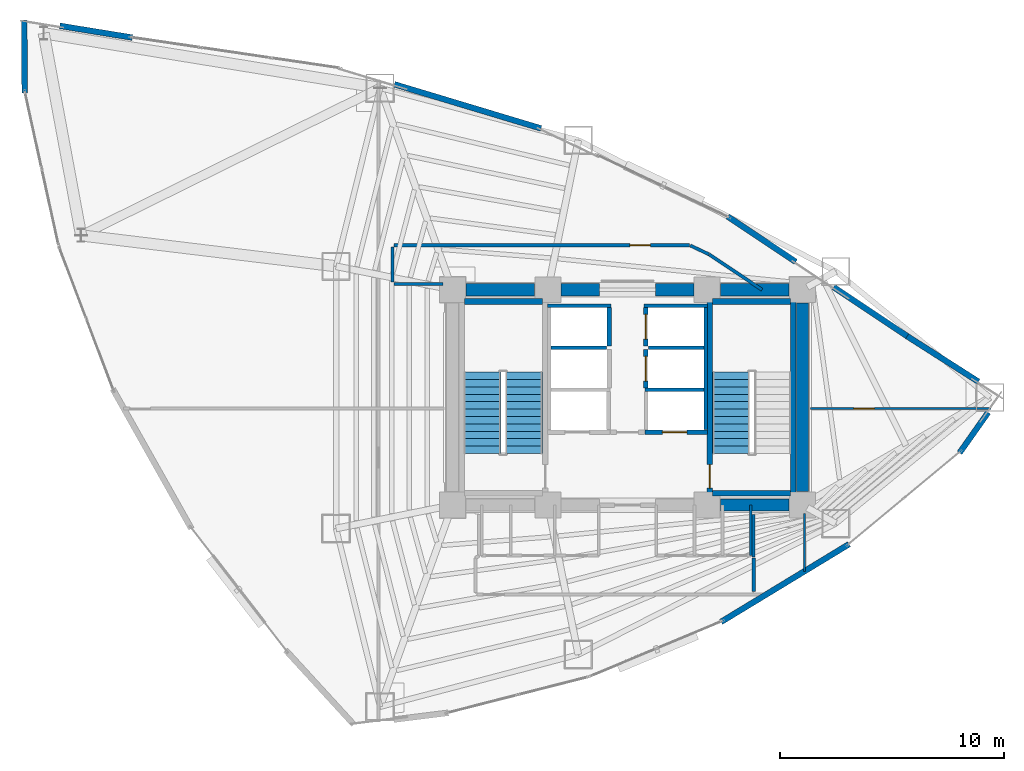
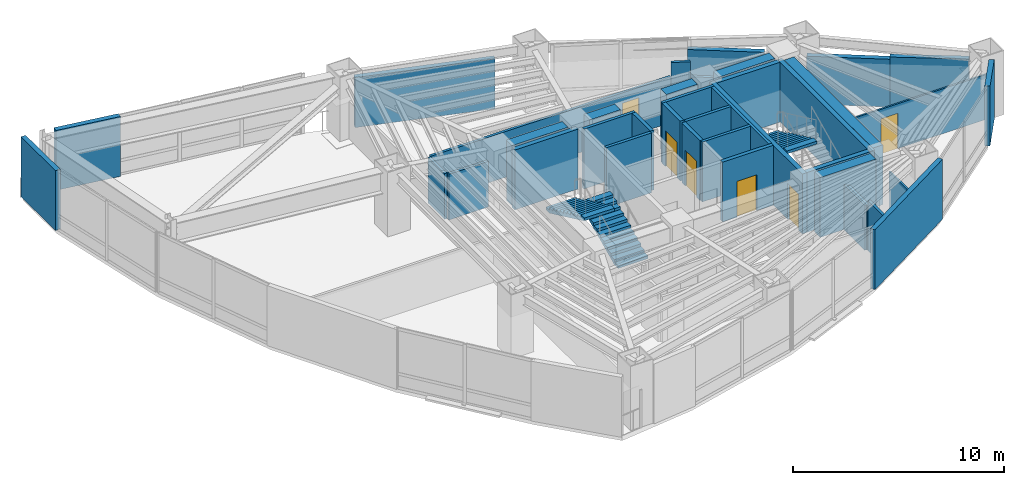
# One storey, part 20 of 23: 39 walls, 6 doors, 3 stair flights, 6 openings, 2 elements without a shape of their own.
"""IFC4 building model written with IfcOpenShell, lengths in metres."""

from ifc_helpers import new_model, si_unit, direction, frame, frame_2d, origin, place, context, subcontext, project, spatial, polyline, rectangle, outline, extrude, material, layer, layer_set, type_object, element, fill, aggregate, save


model = new_model("IFC4")

# Units and contexts
model_context = context("Model", 3, precision=1e-05, world=origin(), true_north=direction((0.0, 1.0)))
body_context = subcontext(model_context, "Body", "Model", "MODEL_VIEW")
ifc_project = project(units=[si_unit("LENGTHUNIT", "METRE"), si_unit("AREAUNIT", "SQUARE_METRE"), si_unit("VOLUMEUNIT", "CUBIC_METRE"), si_unit("PLANEANGLEUNIT", "RADIAN"), si_unit("MASSUNIT", "GRAM", prefix="KILO")], contexts=[model_context])

# Site, building, storey
site_placement = place(None, origin())
site = spatial("IfcSite", under=ifc_project, at=site_placement, CompositionType="ELEMENT")
building_placement = place(site_placement, origin())
building = spatial("IfcBuilding", under=site, at=building_placement, Name="Menara Vayukalpa", CompositionType="ELEMENT")
storey_placement = place(building_placement, frame((0.0, 0.0, 103.97998046875)))
storey = spatial("IfcBuildingStorey", under=building, at=storey_placement, Name="L25", CompositionType="ELEMENT", Elevation=103.97998046875)

# Walls
ifc_material_1 = material(Name="Concrete C60/75", Category="concrete")
ifc_layer_1 = layer(ifc_material_1, 0.550048828125)
ifc_layer_set_1 = layer_set([ifc_layer_1], Name="Concrete C60/75")
wall_type_1 = type_object("IfcWallType", Name="WAL-CW550", PredefinedType="SHEAR", material=ifc_layer_set_1)
wall_1_placement = place(storey_placement, frame((29.7451171875, 17.199951171875, 0.0), z_axis=(0.0, 0.0, 1.0), x_axis=(1.0, 0.0, 0.0)))
element("IfcWall", 1, at=wall_1_placement, inside=storey, type_object=wall_type_1, Name="L25 Buttressed Core Shear Wall CWS4", PredefinedType="SHEAR", context=body_context, shape_type="SweptSolid", body=[
    extrude(rectangle(XDim=3.059814453125, YDim=0.550048828125, at=frame_2d((1.52978515625, 0.0))), origin(), (0.0, 0.0, 1.0), 3.469970703125),
])
wall_2_placement = place(storey_placement, frame((18.39501953125, 26.800048828125, 0.0), z_axis=(0.0, 0.0, 1.0), x_axis=(1.0, 0.0, 0.0)))
element("IfcWall", 2, at=wall_2_placement, inside=storey, type_object=wall_type_1, Name="L25 Buttressed Core Shear Wall CWN1", PredefinedType="SHEAR", context=body_context, shape_type="SweptSolid", body=[
    extrude(rectangle(XDim=3.06005859375, YDim=0.550048828125, at=frame_2d((1.530029296875, 0.0))), origin(), (0.0, 0.0, 1.0), 3.469970703125),
])
wall_3_placement = place(storey_placement, frame((22.64501953125, 26.800048828125, 0.0), z_axis=(0.0, 0.0, 1.0), x_axis=(1.0, 0.0, 0.0)))
element("IfcWall", 3, at=wall_3_placement, inside=storey, type_object=wall_type_1, Name="L25 Buttressed Core Shear Wall CWN2", PredefinedType="SHEAR", context=body_context, shape_type="SweptSolid", body=[
    extrude(rectangle(XDim=1.705078125, YDim=0.550048828125, at=frame_2d((0.8525390625, 0.0))), origin(), (0.0, 0.0, 1.0), 3.469970703125),
])
wall_4_placement = place(storey_placement, frame((26.85009765625, 26.800048828125, 0.0), z_axis=(0.0, 0.0, 1.0), x_axis=(1.0, 0.0, 0.0)))
element("IfcWall", 4, at=wall_4_placement, inside=storey, type_object=wall_type_1, Name="L25 Buttressed Core Shear Wall CWN3", PredefinedType="SHEAR", context=body_context, shape_type="SweptSolid", body=[
    extrude(rectangle(XDim=1.704833984375, YDim=0.550048828125, at=frame_2d((0.8525390625, 0.0))), origin(), (0.0, 0.0, 1.0), 3.469970703125),
])
wall_5_placement = place(storey_placement, frame((29.7451171875, 26.800048828125, 0.0), z_axis=(0.0, 0.0, 1.0), x_axis=(1.0, 0.0, 0.0)))
element("IfcWall", 5, at=wall_5_placement, inside=storey, type_object=wall_type_1, Name="L25 Buttressed Core Shear Wall CWN4", PredefinedType="SHEAR", context=body_context, shape_type="SweptSolid", body=[
    extrude(rectangle(XDim=3.059814453125, YDim=0.550048828125, at=frame_2d((1.52978515625, 0.0))), origin(), (0.0, 0.0, 1.0), 3.469970703125),
])
wall_6_placement = place(storey_placement, frame((33.39990234375, 17.794921875, 0.0), z_axis=(0.0, 0.0, 1.0), x_axis=(0.0, 1.0, 0.0)))
element("IfcWall", 6, at=wall_6_placement, inside=storey, type_object=wall_type_1, Name="L25 Buttressed Core Shear Wall CWE1", PredefinedType="SHEAR", context=body_context, shape_type="SweptSolid", body=[
    extrude(rectangle(XDim=8.41015625, YDim=0.550048828125, at=frame_2d((4.205078125, 0.0))), origin(), (0.0, 0.0, 1.0), 3.469970703125),
])
ifc_material_2 = material(Name="Insulated Precast Concrete C40/50", Category="concrete")
ifc_layer_2 = layer(ifc_material_2, 0.260009765625)
ifc_layer_set_2 = layer_set([ifc_layer_2], Name="Insulated Precast Concrete C40/50")
wall_type_2 = type_object("IfcWallType", Name="WAL-EXT260", PredefinedType="PARTITIONING", material=ifc_layer_set_2)
wall_7_placement = place(storey_placement, frame((41.682373046875, 21.331298828125, 0.0), z_axis=(0.0, 0.0, 1.0), x_axis=(-0.577134204686, -0.816649318729, 0.0)))
element("IfcWall", 7, at=wall_7_placement, inside=storey, type_object=wall_type_2, Name="L25 Perimeter Terracotta Pier Wall 01", PredefinedType="PARTITIONING", context=body_context, shape_type="SweptSolid", body=[
    extrude(rectangle(XDim=2.2099609375, YDim=0.260009765625, at=frame_2d((1.10498046875, 0.0))), origin(), (0.0, 0.0, 1.0), 3.469970703125),
])
wall_8_placement = place(storey_placement, frame((38.07177734375, 24.726806640625, 0.0), z_axis=(0.0, 0.0, 1.0), x_axis=(0.843033549628, -0.537860980367, 0.0)))
element("IfcWall", 8, at=wall_8_placement, inside=storey, type_object=wall_type_2, Name="L25 Perimeter Terracotta Pier Wall 02", PredefinedType="PARTITIONING", context=body_context, shape_type="SweptSolid", body=[
    extrude(rectangle(XDim=3.765625, YDim=0.260009765625, at=frame_2d((1.8828125, 0.0))), origin(), (0.0, 0.0, 1.0), 2.89990234375),
])
wall_9_placement = place(storey_placement, frame((34.783203125, 26.92236328125, 0.0), z_axis=(0.0, 0.0, 1.0), x_axis=(0.831718676225, -0.555197301523, 0.0)))
element("IfcWall", 9, at=wall_9_placement, inside=storey, type_object=wall_type_2, Name="L25 Perimeter Terracotta Pier Wall 03", PredefinedType="PARTITIONING", context=body_context, shape_type="SweptSolid", body=[
    extrude(rectangle(XDim=3.966064453125, YDim=0.260009765625, at=frame_2d((1.98291015625, 0.0))), origin(), (0.0, 0.0, 1.0), 2.77001953125),
])
wall_10_placement = place(storey_placement, frame((30.069580078125, 30.06884765625, 0.0), z_axis=(0.0, 0.0, 1.0), x_axis=(0.831720838908, -0.555194061681, 0.0)))
element("IfcWall", 10, at=wall_10_placement, inside=storey, type_object=wall_type_2, Name="L25 Perimeter Terracotta Pier Wall 04", PredefinedType="PARTITIONING", context=body_context, shape_type="SweptSolid", body=[
    extrude(rectangle(XDim=3.64990234375, YDim=0.260009765625, at=frame_2d((1.824951171875, 0.0))), origin(), (0.0, 0.0, 1.0), 2.89990234375),
])
wall_11_placement = place(storey_placement, frame((15.205078125, 35.960693359375, 0.0), z_axis=(0.0, 0.0, 1.0), x_axis=(0.957547425539, -0.288275784351, 0.0)))
element("IfcWall", 11, at=wall_11_placement, inside=storey, type_object=wall_type_2, Name="L25 Perimeter Terracotta Pier Wall 06", PredefinedType="PARTITIONING", context=body_context, shape_type="SweptSolid", body=[
    extrude(rectangle(XDim=6.830322265625, YDim=0.260009765625, at=frame_2d((3.4150390625, 0.0))), origin(), (0.0, 0.0, 1.0), 2.89990234375),
])
wall_12_placement = place(storey_placement, frame((0.28759765625, 38.567626953125, 0.0), z_axis=(0.0, 0.0, 1.0), x_axis=(0.987086724939, -0.160186758031, 0.0)))
element("IfcWall", 12, at=wall_12_placement, inside=storey, type_object=wall_type_2, Name="L25 Perimeter Terracotta Pier Wall 08", PredefinedType="PARTITIONING", context=body_context, shape_type="SweptSolid", body=[
    extrude(rectangle(XDim=3.281494140625, YDim=0.260009765625, at=frame_2d((1.640625, 0.0))), origin(), (0.0, 0.0, 1.0), 3.469970703125),
])
wall_13_placement = place(storey_placement, frame((-1.2744140625, 35.567626953125, 0.0), z_axis=(0.0, 0.0, 1.0), x_axis=(-0.007419416555, 0.99997247575, 0.0)))
element("IfcWall", 13, at=wall_13_placement, inside=storey, type_object=wall_type_2, Name="L25 Perimeter Terracotta Pier Wall 09", PredefinedType="PARTITIONING", context=body_context, shape_type="SweptSolid", body=[
    extrude(rectangle(XDim=3.257568359375, YDim=0.260009765625, at=frame_2d((1.62890625, 0.0))), origin(), (0.0, 0.0, 1.0), 3.469970703125),
])
wall_14_placement = place(storey_placement, frame((35.47998046875, 15.455078125, 0.0), z_axis=(0.0, 0.0, 1.0), x_axis=(-0.854673977685, -0.51916509115, 0.0)))
element("IfcWall", 14, at=wall_14_placement, inside=storey, type_object=wall_type_2, Name="L25 Perimeter Terracotta Pier Wall 18", PredefinedType="PARTITIONING", context=body_context, shape_type="SweptSolid", body=[
    extrude(rectangle(XDim=6.678466796875, YDim=0.260009765625, at=frame_2d((3.33935546875, 0.0))), origin(), (0.0, 0.0, 1.0), 3.469970703125),
])
ifc_material_3 = material(Name="Lightweight Concrete Blockwork C16/20", Category="masonry")
ifc_layer_3 = layer(ifc_material_3, 0.159912109375)
ifc_layer_set_3 = layer_set([ifc_layer_3], Name="Lightweight Concrete Blockwork C16/20")
wall_type_3 = type_object("IfcWallType", Name="WAL-FR150", PredefinedType="PARTITIONING", material=ifc_layer_set_3)
wall_15_placement = place(storey_placement, frame((22.179931640625, 24.215087890625, 0.0), z_axis=(0.0, 0.0, 1.0), x_axis=(1.0, 0.0, 0.0)))
element("IfcWall", 15, at=wall_15_placement, inside=storey, type_object=wall_type_3, Name="L25 Interior Partition IW-L25-SHM-W23", PredefinedType="PARTITIONING", context=body_context, shape_type="SweptSolid", body=[
    extrude(rectangle(XDim=2.489990234375, YDim=0.159912109375, at=frame_2d((1.2451171875, 0.0))), origin(), (0.0, 0.0, 1.0), 3.469970703125),
])
wall_16_placement = place(storey_placement, frame((22.030029296875, 26.0849609375, 0.0), z_axis=(0.0, 0.0, 1.0), x_axis=(1.0, 0.0, 0.0)))
element("IfcWall", 16, at=wall_16_placement, inside=storey, type_object=wall_type_3, Name="L25 Interior Partition IW-L25-SHM-W3N", PredefinedType="PARTITIONING", context=body_context, shape_type="SweptSolid", body=[
    extrude(rectangle(XDim=2.830078125, YDim=0.159912109375, at=frame_2d((1.4150390625, 0.0))), origin(), (0.0, 0.0, 1.0), 3.469970703125),
])
wall_17_placement = place(storey_placement, frame((29.094970703125, 20.56005859375, 0.0), z_axis=(0.0, 0.0, 1.0), x_axis=(0.0, 1.0, 0.0)))
element("IfcWall", 17, at=wall_17_placement, inside=storey, type_object=wall_type_3, Name="L25 Interior Partition IW-L25-SHW-EE", PredefinedType="PARTITIONING", context=body_context, shape_type="SweptSolid", body=[
    extrude(rectangle(XDim=5.449951171875, YDim=0.159912109375, at=frame_2d((2.72509765625, 0.0))), origin(), (0.0, 0.0, 1.0), 3.469970703125),
])
wall_18_placement = place(storey_placement, frame((26.3701171875, 22.344970703125, 0.0), z_axis=(0.0, 0.0, 1.0), x_axis=(1.0, 0.0, 0.0)))
element("IfcWall", 18, at=wall_18_placement, inside=storey, type_object=wall_type_3, Name="L25 Interior Partition IW-L25-SHM-E13", PredefinedType="PARTITIONING", context=body_context, shape_type="SweptSolid", body=[
    extrude(rectangle(XDim=2.64990234375, YDim=0.159912109375, at=frame_2d((1.324951171875, 0.0))), origin(), (0.0, 0.0, 1.0), 3.469970703125),
])
wall_19_placement = place(storey_placement, frame((26.530029296875, 24.215087890625, 0.0), z_axis=(0.0, 0.0, 1.0), x_axis=(1.0, 0.0, 0.0)))
element("IfcWall", 19, at=wall_19_placement, inside=storey, type_object=wall_type_3, Name="L25 Interior Partition IW-L25-SHM-E32", PredefinedType="PARTITIONING", context=body_context, shape_type="SweptSolid", body=[
    extrude(rectangle(XDim=2.489990234375, YDim=0.159912109375, at=frame_2d((1.2451171875, 0.0))), origin(), (0.0, 0.0, 1.0), 3.469970703125),
])
wall_20_placement = place(storey_placement, frame((26.340087890625, 26.0849609375, 0.0), z_axis=(0.0, 0.0, 1.0), x_axis=(1.0, 0.0, 0.0)))
element("IfcWall", 20, at=wall_20_placement, inside=storey, type_object=wall_type_3, Name="L25 Interior Partition IW-L25-SHM-E2N", PredefinedType="PARTITIONING", context=body_context, shape_type="SweptSolid", body=[
    extrude(rectangle(XDim=2.829833984375, YDim=0.159912109375, at=frame_2d((1.4150390625, 0.0))), origin(), (0.0, 0.0, 1.0), 3.469970703125),
])

# Wall, opening, door
ifc_material_4 = material(Name="Lightweight Concrete Blockwork C16/20", Category="masonry")
ifc_layer_4 = layer(ifc_material_4, 0.199951171875)
ifc_layer_set_4 = layer_set([ifc_layer_4], Name="Lightweight Concrete Blockwork C16/20")
wall_type_4 = type_object("IfcWallType", Name="WAL-FR200", PredefinedType="PARTITIONING", material=ifc_layer_set_4)
wall_21_placement = place(storey_placement, frame((26.3701171875, 20.449951171875, 0.0), z_axis=(0.0, 0.0, 1.0), x_axis=(1.0, 0.0, 0.0)))
wall_21 = element("IfcWall", 21, at=wall_21_placement, inside=storey, type_object=wall_type_4, Name="L25 Interior Partition IW-L25-SH-E1", PredefinedType="PARTITIONING", context=body_context, shape_type="SweptSolid", body=[
    extrude(rectangle(XDim=2.7998046875, YDim=0.199951171875, at=frame_2d((1.39990234375, 0.0))), origin(), (0.0, 0.0, 1.0), 3.469970703125),
])
opening_1_placement = place(wall_21_placement, frame((0.780029296875, 0.0, 0.0)))
opening_1 = element("IfcOpeningElement", 22, at=opening_1_placement, cuts=wall_21, Name="Opening LD1", PredefinedType="OPENING", context=body_context, shape_type="SweptSolid", body=[
    extrude(rectangle(XDim=1.10009765625, YDim=2.080078125, at=frame_2d((0.550048828125, 1.0400390625))), frame((0.0, 0.10986328125, 0.0), z_axis=(0.0, -1.0, 0.0), x_axis=(1.0, 0.0, 0.0)), (0.0, 0.0, 1.0), 0.219970703125),
])
ifc_material_5 = material(Name="Brushed Stainless Steel 316 Lift Door", Category="steel")
door_type_1 = type_object("IfcDoorType", Name="DR-LD110", OperationType="NOTDEFINED", PredefinedType="DOOR", material=ifc_material_5)
door_1_placement = place(opening_1_placement, origin())
door_1 = element("IfcDoor", 23, at=door_1_placement, inside=storey, type_object=door_type_1, Name="L25 Interior Door DR-L25-LD-E1", OperationType="DOUBLE_DOOR_SLIDING", OverallHeight=2.080078125, OverallWidth=1.10009765625, PredefinedType="DOOR", context=body_context, shape_type="SweptSolid", body=[
    extrude(rectangle(XDim=1.10009765625, YDim=2.080078125, at=frame_2d((0.550048828125, 1.0400390625))), frame((0.0, 0.02490234375, 0.0), z_axis=(0.0, -1.0, 0.0), x_axis=(1.0, 0.0, 0.0)), (0.0, 0.0, 1.0), 0.050048828125),
])
fill(opening_1, door_1)

# Wall
wall_22_placement = place(storey_placement, frame((24.780029296875, 24.2900390625, 0.0), z_axis=(0.0, 0.0, 1.0), x_axis=(0.0, 1.0, 0.0)))
element("IfcWall", 24, at=wall_22_placement, inside=storey, type_object=wall_type_4, Name="L25 Interior Partition IW-L25-SH-W3", PredefinedType="PARTITIONING", context=body_context, shape_type="SweptSolid", body=[
    extrude(rectangle(XDim=1.719970703125, YDim=0.199951171875, at=frame_2d((0.85986328125, 0.0))), origin(), (0.0, 0.0, 1.0), 3.469970703125),
])

# Wall, opening, door
wall_23_placement = place(storey_placement, frame((26.419921875, 22.419921875, 0.0), z_axis=(0.0, 0.0, 1.0), x_axis=(0.0, 1.0, 0.0)))
wall_23 = element("IfcWall", 25, at=wall_23_placement, inside=storey, type_object=wall_type_4, Name="L25 Interior Partition IW-L25-SH-E3", PredefinedType="PARTITIONING", context=body_context, shape_type="SweptSolid", body=[
    extrude(rectangle(XDim=1.719970703125, YDim=0.199951171875, at=frame_2d((0.85986328125, 0.0))), origin(), (0.0, 0.0, 1.0), 3.469970703125),
])
opening_2_placement = place(wall_23_placement, frame((0.31005859375, 0.0, 0.0)))
opening_2 = element("IfcOpeningElement", 26, at=opening_2_placement, cuts=wall_23, Name="Opening LD1", PredefinedType="OPENING", context=body_context, shape_type="SweptSolid", body=[
    extrude(rectangle(XDim=1.10009765625, YDim=2.080078125, at=frame_2d((0.550048828125, 1.0400390625))), frame((0.0, 0.10986328125, 0.0), z_axis=(0.0, -1.0, 0.0), x_axis=(1.0, 0.0, 0.0)), (0.0, 0.0, 1.0), 0.219970703125),
])
door_2_placement = place(opening_2_placement, origin())
door_2 = element("IfcDoor", 27, at=door_2_placement, inside=storey, type_object=door_type_1, Name="L25 Interior Door DR-L25-LD-E3", OperationType="DOUBLE_DOOR_SLIDING", OverallHeight=2.080078125, OverallWidth=1.10009765625, PredefinedType="DOOR", context=body_context, shape_type="SweptSolid", body=[
    extrude(rectangle(XDim=1.10009765625, YDim=2.080078125, at=frame_2d((0.550048828125, 1.0400390625))), frame((0.0, 0.02490234375, 0.0), z_axis=(0.0, -1.0, 0.0), x_axis=(1.0, 0.0, 0.0)), (0.0, 0.0, 1.0), 0.050048828125),
])
fill(opening_2, door_2)

wall_24_placement = place(storey_placement, frame((26.419921875, 24.2900390625, 0.0), z_axis=(0.0, 0.0, 1.0), x_axis=(0.0, 1.0, 0.0)))
wall_24 = element("IfcWall", 28, at=wall_24_placement, inside=storey, type_object=wall_type_4, Name="L25 Interior Partition IW-L25-SH-E2", PredefinedType="PARTITIONING", context=body_context, shape_type="SweptSolid", body=[
    extrude(rectangle(XDim=1.719970703125, YDim=0.199951171875, at=frame_2d((0.85986328125, 0.0))), origin(), (0.0, 0.0, 1.0), 3.469970703125),
])
opening_3_placement = place(wall_24_placement, frame((0.31005859375, 0.0, 0.0)))
opening_3 = element("IfcOpeningElement", 29, at=opening_3_placement, cuts=wall_24, Name="Opening LD1", PredefinedType="OPENING", context=body_context, shape_type="SweptSolid", body=[
    extrude(rectangle(XDim=1.10009765625, YDim=2.080078125, at=frame_2d((0.550048828125, 1.0400390625))), frame((0.0, 0.10986328125, 0.0), z_axis=(0.0, -1.0, 0.0), x_axis=(1.0, 0.0, 0.0)), (0.0, 0.0, 1.0), 0.219970703125),
])
door_3_placement = place(opening_3_placement, origin())
door_3 = element("IfcDoor", 30, at=door_3_placement, inside=storey, type_object=door_type_1, Name="L25 Interior Door DR-L25-LD-E2", OperationType="DOUBLE_DOOR_SLIDING", OverallHeight=2.080078125, OverallWidth=1.10009765625, PredefinedType="DOOR", context=body_context, shape_type="SweptSolid", body=[
    extrude(rectangle(XDim=1.10009765625, YDim=2.080078125, at=frame_2d((0.550048828125, 1.0400390625))), frame((0.0, 0.02490234375, 0.0), z_axis=(0.0, -1.0, 0.0), x_axis=(1.0, 0.0, 0.0)), (0.0, 0.0, 1.0), 0.050048828125),
])
fill(opening_3, door_3)

# Wall
ifc_material_6 = material(Name="Glazed Demountable Office Partition", Category="glass")
ifc_layer_5 = layer(ifc_material_6, 0.094970703125)
ifc_layer_set_5 = layer_set([ifc_layer_5], Name="Glazed Demountable Office Partition")
wall_type_5 = type_object("IfcWallType", Name="WAL-PT100", PredefinedType="PARTITIONING", material=ifc_layer_set_5)
wall_25_placement = place(storey_placement, frame((33.5, 14.24072265625, 0.0), z_axis=(0.0, 0.0, 1.0), x_axis=(0.0, 1.0, 0.0)))
element("IfcWall", 31, at=wall_25_placement, inside=storey, type_object=wall_type_5, Name="L25 Interior Partition IW-L25-RDIV02", PredefinedType="PARTITIONING", context=body_context, shape_type="SweptSolid", body=[
    extrude(rectangle(XDim=2.58935546875, YDim=0.094970703125, at=frame_2d((1.294677734375, 0.0))), origin(), (0.0, 0.0, 1.0), 2.60009765625),
])

# Wall, opening, door
wall_26_placement = place(storey_placement, frame((33.77001953125, 21.5, 0.0), z_axis=(0.0, 0.0, 1.0), x_axis=(1.0, 0.0, 0.0)))
wall_26 = element("IfcWall", 32, at=wall_26_placement, inside=storey, type_object=wall_type_5, Name="L25 Interior Partition IW-L25-RDIV04", PredefinedType="PARTITIONING", context=body_context, shape_type="SweptSolid", body=[
    extrude(rectangle(XDim=8.043701171875, YDim=0.094970703125, at=frame_2d((4.02197265625, 0.0))), origin(), (0.0, 0.0, 1.0), 2.60009765625),
])
opening_4_placement = place(wall_26_placement, frame((1.9208984375, 0.0, 0.0)))
opening_4 = element("IfcOpeningElement", 33, at=opening_4_placement, cuts=wall_26, Name="Opening ID6", PredefinedType="OPENING", context=body_context, shape_type="SweptSolid", body=[
    extrude(rectangle(XDim=0.919921875, YDim=2.050048828125, at=frame_2d((0.4599609375, 1.02490234375))), frame((0.0, 0.057373046875, 0.0), z_axis=(0.0, -1.0, 0.0), x_axis=(1.0, 0.0, 0.0)), (0.0, 0.0, 1.0), 0.114990234375),
])
ifc_material_7 = material(Name="Acoustic Hardwood Veneer Timber Door", Category="wood")
door_type_2 = type_object("IfcDoorType", Name="DR-INT92", OperationType="NOTDEFINED", PredefinedType="DOOR", material=ifc_material_7)
door_4_placement = place(opening_4_placement, origin())
door_4 = element("IfcDoor", 34, at=door_4_placement, inside=storey, type_object=door_type_2, Name="L25 Interior Door DR-L25-STE03", OperationType="SINGLE_SWING_RIGHT", OverallHeight=2.050048828125, OverallWidth=0.919921875, PredefinedType="DOOR", context=body_context, shape_type="SweptSolid", body=[
    extrude(rectangle(XDim=0.919921875, YDim=2.050048828125, at=frame_2d((0.4599609375, 1.02490234375))), frame((0.0, 0.02490234375, 0.0), z_axis=(0.0, -1.0, 0.0), x_axis=(1.0, 0.0, 0.0)), (0.0, 0.0, 1.0), 0.050048828125),
])
fill(opening_4, door_4)

# Walls
ifc_material_8 = material(Name="Acoustic Mineral Stud Partition", Category="masonry")
ifc_layer_6 = layer(ifc_material_8, 0.110107421875)
ifc_layer_set_6 = layer_set([ifc_layer_6], Name="Acoustic Mineral Stud Partition")
wall_type_6 = type_object("IfcWallType", Name="WAL-PT110", PredefinedType="PARTITIONING", material=ifc_layer_set_6)
wall_27_placement = place(storey_placement, frame((31.10009765625, 14.949951171875, 0.0), z_axis=(0.0, 0.0, 1.0), x_axis=(0.0, 1.0, 0.0)))
element("IfcWall", 35, at=wall_27_placement, inside=storey, type_object=wall_type_6, Name="L25 Interior Partition IW-L25-SVCD-08", PredefinedType="PARTITIONING", context=body_context, shape_type="SweptSolid", body=[
    extrude(rectangle(XDim=2.25, YDim=0.110107421875, at=frame_2d((1.125, 0.0))), origin(), (0.0, 0.0, 1.0), 2.60009765625),
])
ifc_material_9 = material(Name="Gypsum Drywall Acoustic Stud Assembly", Category="masonry")
ifc_layer_7 = layer(ifc_material_9, 0.14501953125)
ifc_layer_set_7 = layer_set([ifc_layer_7], Name="Gypsum Drywall Acoustic Stud Assembly")
wall_type_7 = type_object("IfcWallType", Name="WAL-PT150", PredefinedType="PARTITIONING", material=ifc_layer_set_7)
wall_28_placement = place(storey_placement, frame((31.22998046875, 13.351318359375, 0.0), z_axis=(0.0, 0.0, 1.0), x_axis=(0.0, 1.0, 0.0)))
element("IfcWall", 36, at=wall_28_placement, inside=storey, type_object=wall_type_7, Name="L25 Interior Partition IW-L25-CRM02-4", PredefinedType="PARTITIONING", context=body_context, shape_type="SweptSolid", body=[
    extrude(rectangle(XDim=1.498779296875, YDim=0.14501953125, at=frame_2d((0.74951171875, 0.0))), origin(), (0.0, 0.0, 1.0), 2.89990234375),
])
wall_29_placement = place(storey_placement, frame((31.219970703125, 14.888671875, 0.0), z_axis=(0.0, 0.0, 1.0), x_axis=(0.0, 1.0, 0.0)))
element("IfcWall", 37, at=wall_29_placement, inside=storey, type_object=wall_type_7, Name="L25 Interior Partition IW-L25-CRM02-5", PredefinedType="PARTITIONING", context=body_context, shape_type="SweptSolid", body=[
    extrude(rectangle(XDim=1.891357421875, YDim=0.14501953125, at=frame_2d((0.94580078125, 0.0))), origin(), (0.0, 0.0, 1.0), 2.60009765625),
])
wall_30_placement = place(storey_placement, frame((31.598388671875, 26.800048828125, 0.0), z_axis=(0.0, 0.0, 1.0), x_axis=(-0.831758510993, 0.555137622028, 0.0)))
element("IfcWall", 38, at=wall_30_placement, inside=storey, type_object=wall_type_7, Name="L25 Interior Partition IW-L25-CRM04-1", PredefinedType="PARTITIONING", context=body_context, shape_type="SweptSolid", body=[
    extrude(rectangle(XDim=2.8330078125, YDim=0.14501953125, at=frame_2d((1.41650390625, 0.0))), origin(), (0.0, 0.0, 1.0), 2.60009765625),
])
wall_31_placement = place(storey_placement, frame((29.231689453125, 28.378662109375, 0.0), z_axis=(0.0, 0.0, 1.0), x_axis=(-0.903829701814, 0.427892358098, 0.0)))
element("IfcWall", 39, at=wall_31_placement, inside=storey, type_object=wall_type_7, Name="L25 Interior Partition IW-L25-CRM04-2", PredefinedType="PARTITIONING", context=body_context, shape_type="SweptSolid", body=[
    extrude(rectangle(XDim=0.919677734375, YDim=0.14501953125, at=frame_2d((0.4599609375, 0.0))), origin(), (0.0, 0.0, 1.0), 3.469970703125),
])

# Wall, opening, door
wall_32_placement = place(storey_placement, frame((28.3662109375, 28.780029296875, 0.0), z_axis=(0.0, 0.0, 1.0), x_axis=(-1.0, 0.0, 0.0)))
wall_32 = element("IfcWall", 40, at=wall_32_placement, inside=storey, type_object=wall_type_7, Name="L25 Interior Partition IW-L25-CRM04-3", PredefinedType="PARTITIONING", context=body_context, shape_type="SweptSolid", body=[
    extrude(rectangle(XDim=13.166259765625, YDim=0.14501953125, at=frame_2d((6.5830078125, 0.0))), origin(), (0.0, 0.0, 1.0), 2.64990234375),
])
opening_5_placement = place(wall_32_placement, frame((1.74072265625, 0.0, 0.0)))
opening_5 = element("IfcOpeningElement", 41, at=opening_5_placement, cuts=wall_32, Name="Opening ID6", PredefinedType="OPENING", context=body_context, shape_type="SweptSolid", body=[
    extrude(rectangle(XDim=0.919921875, YDim=2.050048828125, at=frame_2d((0.4599609375, 1.02490234375))), frame((0.0, 0.08251953125, 0.0), z_axis=(0.0, -1.0, 0.0), x_axis=(1.0, 0.0, 0.0)), (0.0, 0.0, 1.0), 0.1650390625),
])
door_5_placement = place(opening_5_placement, origin())
door_5 = element("IfcDoor", 42, at=door_5_placement, inside=storey, type_object=door_type_2, Name="L25 Interior Door DR-L25-RM04", OperationType="SINGLE_SWING_LEFT", OverallHeight=2.050048828125, OverallWidth=0.919921875, PredefinedType="DOOR", context=body_context, shape_type="SweptSolid", body=[
    extrude(rectangle(XDim=0.919921875, YDim=2.050048828125, at=frame_2d((0.4599609375, 1.02490234375))), frame((0.0, 0.02490234375, 0.0), z_axis=(0.0, -1.0, 0.0), x_axis=(1.0, 0.0, 0.0)), (0.0, 0.0, 1.0), 0.050048828125),
])
fill(opening_5, door_5)

# Walls
wall_33_placement = place(storey_placement, frame((15.1201171875, 28.699951171875, 0.0), z_axis=(0.0, 0.0, 1.0), x_axis=(0.0, -1.0, 0.0)))
element("IfcWall", 43, at=wall_33_placement, inside=storey, type_object=wall_type_7, Name="L25 Interior Partition IW-L25-CRM04-4", PredefinedType="PARTITIONING", context=body_context, shape_type="SweptSolid", body=[
    extrude(rectangle(XDim=1.56005859375, YDim=0.14501953125, at=frame_2d((0.780029296875, 0.0))), origin(), (0.0, 0.0, 1.0), 2.64990234375),
])
wall_34_placement = place(storey_placement, frame((15.199951171875, 27.06005859375, 0.0), z_axis=(0.0, 0.0, 1.0), x_axis=(1.0, 0.0, 0.0)))
element("IfcWall", 44, at=wall_34_placement, inside=storey, type_object=wall_type_7, Name="L25 Interior Partition IW-L25-CRM04-5", PredefinedType="PARTITIONING", context=body_context, shape_type="SweptSolid", body=[
    extrude(rectangle(XDim=2.179931640625, YDim=0.14501953125, at=frame_2d((1.08984375, 0.0))), origin(), (0.0, 0.0, 1.0), 2.64990234375),
])
ifc_material_10 = material(Name="Concrete C50/60", Category="concrete")
ifc_layer_8 = layer(ifc_material_10, 0.25)
ifc_layer_set_8 = layer_set([ifc_layer_8], Name="Concrete C50/60")
wall_type_8 = type_object("IfcWallType", Name="WAL-SW250", PredefinedType="SHEAR", material=ifc_layer_set_8)
wall_35_placement = place(storey_placement, frame((18.3291015625, 26.27490234375, 0.0), z_axis=(0.0, 0.0, 1.0), x_axis=(1.0, 0.0, 0.0)))
element("IfcWall", 45, at=wall_35_placement, inside=storey, type_object=wall_type_8, Name="L25 ST1 Structural Stair Shaft Wall N", PredefinedType="SHEAR", context=body_context, shape_type="SweptSolid", body=[
    extrude(rectangle(XDim=3.470947265625, YDim=0.25, at=frame_2d((1.7353515625, 0.0))), origin(), (0.0, 0.0, 1.0), 3.469970703125),
])

# Wall, opening, door
wall_36_placement = place(storey_placement, frame((29.27490234375, 17.60009765625, 0.0), z_axis=(0.0, 0.0, 1.0), x_axis=(0.0, 1.0, 0.0)))
wall_36 = element("IfcWall", 46, at=wall_36_placement, inside=storey, type_object=wall_type_8, Name="L25 ST2 Structural Stair Shaft Wall W", PredefinedType="SHEAR", context=body_context, shape_type="SweptSolid", body=[
    extrude(rectangle(XDim=8.7998046875, YDim=0.25, at=frame_2d((4.39990234375, 0.0))), origin(), (0.0, 0.0, 1.0), 3.469970703125),
])
opening_6_placement = place(wall_36_placement, frame((0.35009765625, 0.0, 0.0)))
opening_6 = element("IfcOpeningElement", 47, at=opening_6_placement, cuts=wall_36, Name="Opening ID1", PredefinedType="OPENING", context=body_context, shape_type="SweptSolid", body=[
    extrude(rectangle(XDim=1.050048828125, YDim=2.080078125, at=frame_2d((0.52490234375, 1.0400390625))), frame((0.0, 0.135009765625, 0.0), z_axis=(0.0, -1.0, 0.0), x_axis=(1.0, 0.0, 0.0)), (0.0, 0.0, 1.0), 0.27001953125),
])
ifc_material_11 = material(Name="Fire-Rated Powder-Coated Steel Door", Category="steel")
door_type_3 = type_object("IfcDoorType", Name="DR-FD120", OperationType="NOTDEFINED", PredefinedType="DOOR", material=ifc_material_11)
door_6_placement = place(opening_6_placement, origin())
door_6 = element("IfcDoor", 48, at=door_6_placement, inside=storey, type_object=door_type_3, Name="L25 Stair Exit Door DR-L25-ST2", OperationType="SINGLE_SWING_RIGHT", OverallHeight=2.080078125, OverallWidth=1.050048828125, PredefinedType="DOOR", context=body_context, shape_type="SweptSolid", body=[
    extrude(rectangle(XDim=1.050048828125, YDim=2.080078125, at=frame_2d((0.52490234375, 1.0400390625))), frame((0.0, 0.02490234375, 0.0), z_axis=(0.0, -1.0, 0.0), x_axis=(1.0, 0.0, 0.0)), (0.0, 0.0, 1.0), 0.050048828125),
])
fill(opening_6, door_6)

# Walls
wall_37_placement = place(storey_placement, frame((32.99609375, 17.60009765625, 0.0), z_axis=(0.0, 0.0, 1.0), x_axis=(0.0, 1.0, 0.0)))
element("IfcWall", 49, at=wall_37_placement, inside=storey, type_object=wall_type_8, Name="L25 ST2 Structural Stair Shaft Wall E", PredefinedType="SHEAR", context=body_context, shape_type="SweptSolid", body=[
    extrude(rectangle(XDim=8.7998046875, YDim=0.25, at=frame_2d((4.39990234375, 0.0))), origin(), (0.0, 0.0, 1.0), 3.469970703125),
])
for number, where, z_axis, x_axis, name in (
    (50, (29.39990234375, 17.72509765625, 0.0), (0.0, 0.0, 1.0), (1.0, 0.0, 0.0), "L25 ST2 Structural Stair Shaft Wall S"),
    (51, (29.39990234375, 26.27490234375, 0.0), (0.0, 0.0, 1.0), (1.0, 0.0, 0.0), "L25 ST2 Structural Stair Shaft Wall N"),
):
    element("IfcWall", number, at=place(storey_placement, frame(where, z_axis=z_axis, x_axis=x_axis)), inside=storey, type_object=wall_type_8, Name=name, PredefinedType="SHEAR", context=body_context, shape_type="SweptSolid", body=[
        extrude(rectangle(XDim=3.47119140625, YDim=0.25, at=frame_2d((1.735595703125, 0.0))), origin(), (0.0, 0.0, 1.0), 3.469970703125),
    ])

# Stair, stair flights
ifc_material_12 = material(Name="Precast Concrete C40/50", Category="concrete")
stair_type = type_object("IfcStairType", Name="STR-T04", PredefinedType="DOUBLE_RETURN_STAIR", material=ifc_material_12)
stair_1_placement = place(storey_placement, origin())
stair_1 = element("IfcStair", 52, at=stair_1_placement, inside=storey, type_object=stair_type, Name="L25 Core Exit Stair ST-1", PredefinedType="DOUBLE_RETURN_STAIR")
ifc_material_13 = material(Name="Precast Concrete C40/50", Category="concrete")
stair_flight_type = type_object("IfcStairFlightType", Name="STF-T04", PredefinedType="STRAIGHT", material=ifc_material_13)
stair_flight_1_placement = place(storey_placement, frame((20.97509765625, 19.5, 0.0), z_axis=(0.0, 0.0, 1.0), x_axis=(0.0, 1.0, 0.0)))
stair_flight_1 = element("IfcStairFlight", 53, at=stair_flight_1_placement, type_object=stair_flight_type, Name="ST-1 flight 1", NumberOfRisers=12, NumberOfTreads=11, PredefinedType="STRAIGHT", RiserHeight=0.155, TreadLength=0.33, context=body_context, shape_type="SweptSolid", body=[
    extrude(outline(polyline([(0.0, 0.0), (0.0, 0.155029296875), (0.330078125, 0.155029296875), (0.330078125, 0.31005859375), (0.659912109375, 0.31005859375), (0.659912109375, 0.465087890625), (0.989990234375, 0.465087890625), (0.989990234375, 0.6201171875), (1.320068359375, 0.6201171875), (1.320068359375, 0.77490234375), (1.64990234375, 0.77490234375), (1.64990234375, 0.929931640625), (1.97998046875, 0.929931640625), (1.97998046875, 1.0849609375), (2.31005859375, 1.0849609375), (2.31005859375, 1.239990234375), (2.639892578125, 1.239990234375), (2.639892578125, 1.39501953125), (2.969970703125, 1.39501953125), (2.969970703125, 1.550048828125), (3.300048828125, 1.550048828125), (3.300048828125, 1.705078125), (3.6298828125, 1.705078125), (3.6298828125, 1.860107421875), (3.6298828125, 1.539306640625), (0.3525390625, 0.0), (0.0, 0.0)])), frame((0.0, 0.824951171875, 0.0), z_axis=(0.0, -1.0, 0.0), x_axis=(1.0, 0.0, 0.0)), (0.0, 0.0, 1.0), 1.64990234375),
])
stair_flight_2_placement = place(storey_placement, frame((19.125, 23.1298828125, 1.860107421875), z_axis=(0.0, 0.0, 1.0), x_axis=(0.0, -1.0, 0.0)))
stair_flight_2 = element("IfcStairFlight", 54, at=stair_flight_2_placement, type_object=stair_flight_type, Name="ST-1 flight 2", NumberOfRisers=12, NumberOfTreads=11, PredefinedType="STRAIGHT", RiserHeight=0.155, TreadLength=0.33, context=body_context, shape_type="SweptSolid", body=[
    extrude(outline(polyline([(0.0, 0.0), (0.0, 0.155029296875), (0.330078125, 0.155029296875), (0.330078125, 0.31005859375), (0.659912109375, 0.31005859375), (0.659912109375, 0.465087890625), (0.989990234375, 0.465087890625), (0.989990234375, 0.6201171875), (1.320068359375, 0.6201171875), (1.320068359375, 0.77490234375), (1.64990234375, 0.77490234375), (1.64990234375, 0.929931640625), (1.97998046875, 0.929931640625), (1.97998046875, 1.0849609375), (2.31005859375, 1.0849609375), (2.31005859375, 1.239990234375), (2.639892578125, 1.239990234375), (2.639892578125, 1.39501953125), (2.969970703125, 1.39501953125), (2.969970703125, 1.550048828125), (3.300048828125, 1.550048828125), (3.300048828125, 1.705078125), (3.6298828125, 1.705078125), (3.6298828125, 1.860107421875), (3.6298828125, 1.539306640625), (0.3525390625, 0.0), (0.0, 0.0)])), frame((0.0, 0.824951171875, 0.0), z_axis=(0.0, -1.0, 0.0), x_axis=(1.0, 0.0, 0.0)), (0.0, 0.0, 1.0), 1.64990234375),
])
aggregate(stair_1, [stair_flight_1, stair_flight_2])

# Stair, stair flight
stair_2_placement = place(storey_placement, origin())
stair_2 = element("IfcStair", 55, at=stair_2_placement, inside=storey, type_object=stair_type, Name="L25 Core Exit Stair ST-2", PredefinedType="DOUBLE_RETURN_STAIR")
stair_flight_3_placement = place(storey_placement, frame((30.22509765625, 23.1298828125, 1.860107421875), z_axis=(0.0, 0.0, 1.0), x_axis=(0.0, -1.0, 0.0)))
stair_flight_3 = element("IfcStairFlight", 56, at=stair_flight_3_placement, type_object=stair_flight_type, Name="ST-2 flight 2", NumberOfRisers=12, NumberOfTreads=11, PredefinedType="STRAIGHT", RiserHeight=0.155, TreadLength=0.33, context=body_context, shape_type="SweptSolid", body=[
    extrude(outline(polyline([(0.0, 0.0), (0.0, 0.155029296875), (0.330078125, 0.155029296875), (0.330078125, 0.31005859375), (0.659912109375, 0.31005859375), (0.659912109375, 0.465087890625), (0.989990234375, 0.465087890625), (0.989990234375, 0.6201171875), (1.320068359375, 0.6201171875), (1.320068359375, 0.77490234375), (1.64990234375, 0.77490234375), (1.64990234375, 0.929931640625), (1.97998046875, 0.929931640625), (1.97998046875, 1.0849609375), (2.31005859375, 1.0849609375), (2.31005859375, 1.239990234375), (2.639892578125, 1.239990234375), (2.639892578125, 1.39501953125), (2.969970703125, 1.39501953125), (2.969970703125, 1.550048828125), (3.300048828125, 1.550048828125), (3.300048828125, 1.705078125), (3.6298828125, 1.705078125), (3.6298828125, 1.860107421875), (3.6298828125, 1.539306640625), (0.3525390625, 0.0), (0.0, 0.0)])), frame((0.0, 0.824951171875, 0.0), z_axis=(0.0, -1.0, 0.0), x_axis=(1.0, 0.0, 0.0)), (0.0, 0.0, 1.0), 1.64990234375),
])
aggregate(stair_2, [stair_flight_3])

save(model, "model.ifc")
